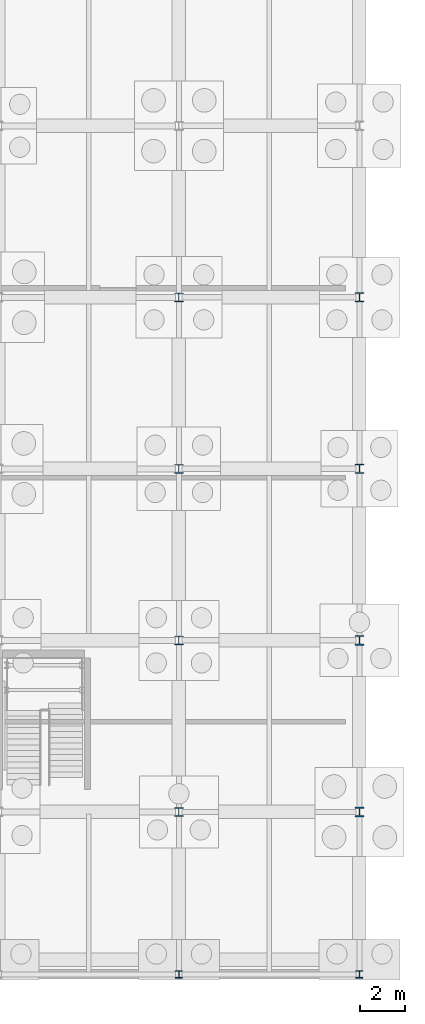
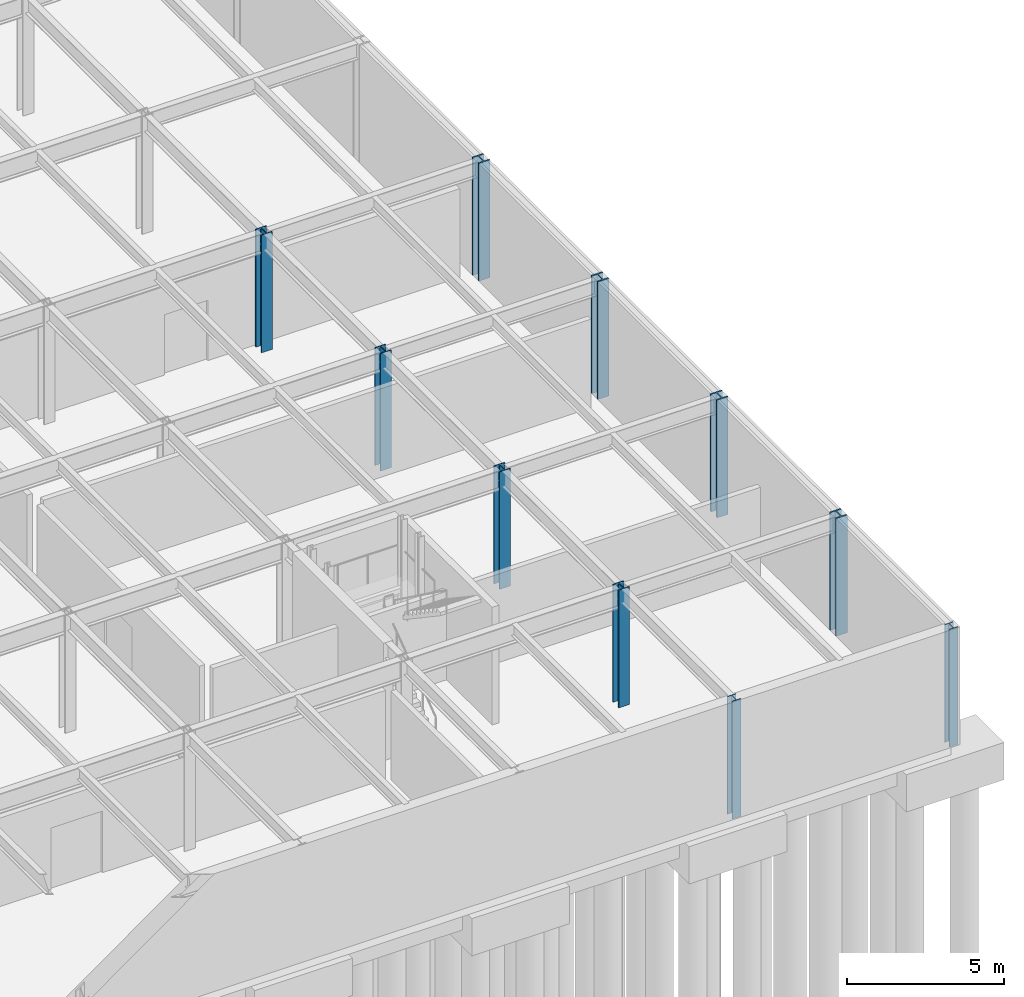
# One storey, part 9 of 21: 10 columns.
"""IFC4 building model written with IfcOpenShell, lengths in metres."""

from ifc_helpers import new_model, si_unit, direction, frame, origin, origin_2d, place, context, subcontext, project, spatial, i_section, extrude, material, material_profile, profile_set, type_object, element, save


model = new_model("IFC4")

# Units and contexts
model_context = context("Model", 3, precision=1e-05, world=origin(), true_north=direction((0.0, 1.0)))
body_context = subcontext(model_context, "Body", "Model", "MODEL_VIEW")
ifc_project = project(units=[si_unit("LENGTHUNIT", "METRE"), si_unit("AREAUNIT", "SQUARE_METRE"), si_unit("VOLUMEUNIT", "CUBIC_METRE"), si_unit("PLANEANGLEUNIT", "RADIAN"), si_unit("MASSUNIT", "GRAM", prefix="KILO")], contexts=[model_context])

# Site, building, storey
site_placement = place(None, origin())
site = spatial("IfcSite", under=ifc_project, at=site_placement, CompositionType="ELEMENT")
building_placement = place(site_placement, origin())
building = spatial("IfcBuilding", under=site, at=building_placement, Name="Zulena Civic Courthouse", CompositionType="ELEMENT")
storey_placement = place(building_placement, frame((0.0, 0.0, -4.800048828125)))
storey = spatial("IfcBuildingStorey", under=building, at=storey_placement, Name="B01", CompositionType="ELEMENT", Elevation=-4.800048828125)

# Columns
ifc_material = material(Name="Steel ASTM A992 Grade 50", Category="steel")
ifc_material_profile_1 = material_profile(ifc_material, i_section(OverallWidth=0.31298828125, OverallDepth=0.3330078125, WebThickness=0.01806640625, FlangeThickness=0.0283203125, FilletRadius=0.01513671875, at=origin_2d()), Name="W12X120")
ifc_profile_set_1 = profile_set([ifc_material_profile_1], Name="Steel ASTM A992 Grade 50")
column_type_1 = type_object("IfcColumnType", Name="Col_W12X120", PredefinedType="COLUMN", material=ifc_profile_set_1)
for number, where, z_axis, x_axis, name in (
    (1, (100.0, 46.0, 0.0), (0.0, 0.0, 1.0), (1.0, 0.0, 0.0), "col:V5:B01:100.0:46.0"),
    (2, (108.0, 46.0, 0.0), (0.0, 0.0, 1.0), (1.0, 0.0, 0.0), "col:V5:B01:108.0:46.0"),
):
    element("IfcColumn", number, at=place(storey_placement, frame(where, z_axis=z_axis, x_axis=x_axis)), inside=storey, type_object=column_type_1, Name=name, PredefinedType="COLUMN", context=body_context, shape_type="SweptSolid", body=[
        extrude(i_section(OverallWidth=0.31298828125, OverallDepth=0.3330078125, WebThickness=0.01806640625, FlangeThickness=0.0283203125, FilletRadius=0.01513671875, at=origin_2d()), origin(), (0.0, 0.0, 1.0), 4.580078125),
    ])
ifc_material_profile_2 = material_profile(ifc_material, i_section(OverallWidth=0.40087890625, OverallDepth=0.39892578125, WebThickness=0.02490234375, FlangeThickness=0.03955078125, FilletRadius=0.01513671875, at=origin_2d()), Name="W14X211")
ifc_profile_set_2 = profile_set([ifc_material_profile_2], Name="Steel ASTM A992 Grade 50")
column_type_2 = type_object("IfcColumnType", Name="Col_W14X211", PredefinedType="COLUMN", material=ifc_profile_set_2)
for number, where, z_axis, x_axis, name in (
    (3, (100.0, 53.199951171875, 0.0), (0.0, 0.0, 1.0), (1.0, 0.0, 0.0), "col:V5:B01:100.0:53.2"),
    (4, (100.0, 60.800048828125, 0.0), (0.0, 0.0, 1.0), (1.0, 0.0, 0.0), "col:V5:B01:100.0:60.8"),
    (5, (100.0, 68.39990234375, 0.0), (0.0, 0.0, 1.0), (1.0, 0.0, 0.0), "col:V5:B01:100.0:68.4"),
    (6, (100.0, 76.0, 0.0), (0.0, 0.0, 1.0), (1.0, 0.0, 0.0), "col:V5:B01:100.0:76.0"),
):
    element("IfcColumn", number, at=place(storey_placement, frame(where, z_axis=z_axis, x_axis=x_axis)), inside=storey, type_object=column_type_2, Name=name, PredefinedType="COLUMN", context=body_context, shape_type="SweptSolid", body=[
        extrude(i_section(OverallWidth=0.40087890625, OverallDepth=0.39892578125, WebThickness=0.02490234375, FlangeThickness=0.03955078125, FilletRadius=0.01513671875, at=origin_2d()), origin(), (0.0, 0.0, 1.0), 4.580078125),
    ])
ifc_material_profile_3 = material_profile(ifc_material, i_section(OverallWidth=0.412109375, OverallDepth=0.43505859375, WebThickness=0.035888671875, FlangeThickness=0.057373046875, FilletRadius=0.01513671875, at=origin_2d()), Name="W14X311")
ifc_profile_set_3 = profile_set([ifc_material_profile_3], Name="Steel ASTM A992 Grade 50")
column_type_3 = type_object("IfcColumnType", Name="Col_W14X311", PredefinedType="COLUMN", material=ifc_profile_set_3)
for number, where, z_axis, x_axis, name in (
    (7, (108.0, 53.199951171875, 0.0), (0.0, 0.0, 1.0), (1.0, 0.0, 0.0), "col:V5:B01:108.0:53.2"),
    (8, (108.0, 60.800048828125, 0.0), (0.0, 0.0, 1.0), (1.0, 0.0, 0.0), "col:V5:B01:108.0:60.8"),
    (9, (108.0, 68.39990234375, 0.0), (0.0, 0.0, 1.0), (1.0, 0.0, 0.0), "col:V5:B01:108.0:68.4"),
    (10, (108.0, 76.0, 0.0), (0.0, 0.0, 1.0), (1.0, 0.0, 0.0), "col:V5:B01:108.0:76.0"),
):
    element("IfcColumn", number, at=place(storey_placement, frame(where, z_axis=z_axis, x_axis=x_axis)), inside=storey, type_object=column_type_3, Name=name, PredefinedType="COLUMN", context=body_context, shape_type="SweptSolid", body=[
        extrude(i_section(OverallWidth=0.412109375, OverallDepth=0.43505859375, WebThickness=0.035888671875, FlangeThickness=0.057373046875, FilletRadius=0.01513671875, at=origin_2d()), origin(), (0.0, 0.0, 1.0), 4.580078125),
    ])

save(model, "model.ifc")
